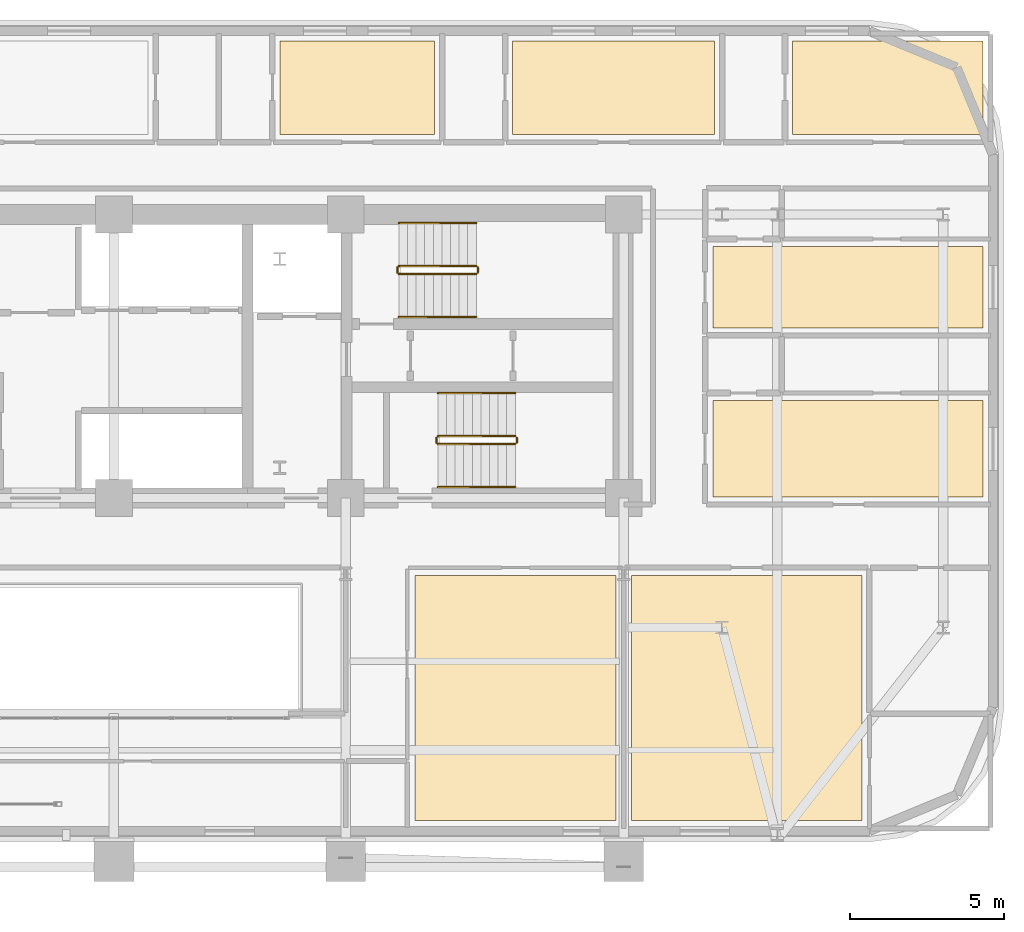
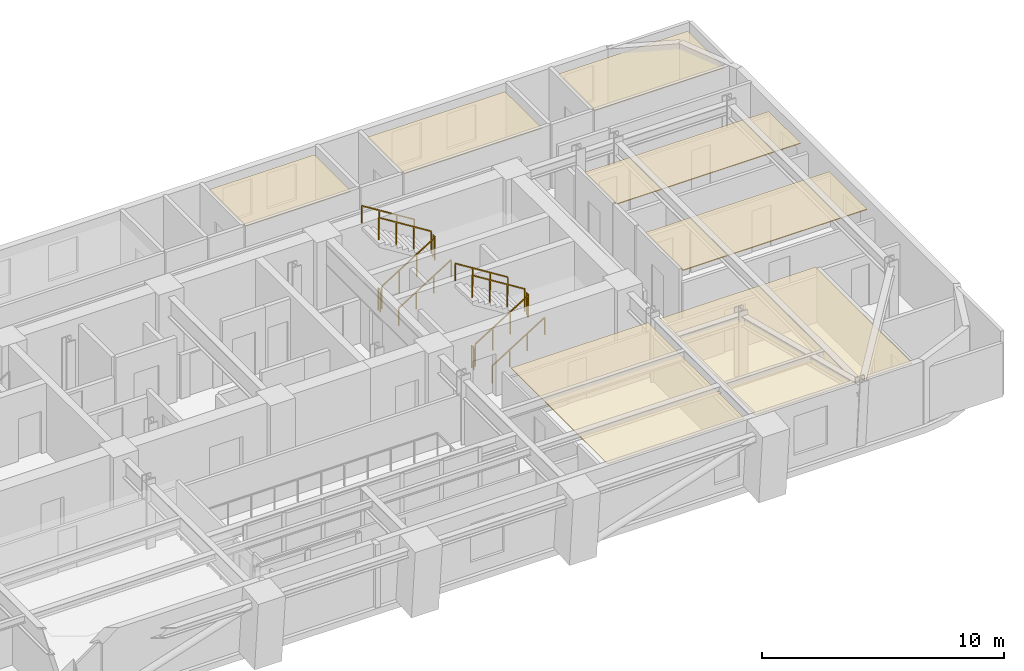
# One storey, part 15 of 15: 12 railings, 7 coverings.
"""IFC4 building model written with IfcOpenShell, lengths in metres."""

from ifc_helpers import new_model, si_unit, direction, frame, origin, origin_2d, place, context, subcontext, project, spatial, polyline, rectangle, outline, extrude, material, layer, layer_set, type_object, element, save


model = new_model("IFC4")

# Units and contexts
model_context = context("Model", 3, precision=1e-05, world=origin(), true_north=direction((0.0, 1.0)))
body_context = subcontext(model_context, "Body", "Model", "MODEL_VIEW")
ifc_project = project(units=[si_unit("LENGTHUNIT", "METRE"), si_unit("AREAUNIT", "SQUARE_METRE"), si_unit("VOLUMEUNIT", "CUBIC_METRE"), si_unit("PLANEANGLEUNIT", "RADIAN"), si_unit("MASSUNIT", "GRAM", prefix="KILO")], contexts=[model_context])

# Site, building, storey
site_placement = place(None, origin())
site = spatial("IfcSite", under=ifc_project, at=site_placement, CompositionType="ELEMENT")
building_placement = place(site_placement, origin())
building = spatial("IfcBuilding", under=site, at=building_placement, Name="Zarnavel Station Tower", CompositionType="ELEMENT")
storey_placement = place(building_placement, frame((0.0, 0.0, 111.800048828125)))
storey = spatial("IfcBuildingStorey", under=building, at=storey_placement, Name="L30", CompositionType="ELEMENT", Elevation=111.800048828125)

# Coverings
ifc_material_1 = material(Name="Perforated Gypsum and Mineral-Wool Acoustic Ceiling", Category="concrete")
ifc_layer = layer(ifc_material_1, 0.0400390625)
ifc_layer_set = layer_set([ifc_layer], Name="COV_CEIL_ACOUSTIC")
covering_type = type_object("IfcCoveringType", Name="COV_CEIL_ACOUSTIC", PredefinedType="CEILING", material=ifc_layer_set)
covering_1_placement = place(storey_placement, frame((0.0, 0.0, 2.919921875)))
element("IfcCovering", 1, at=covering_1_placement, inside=storey, type_object=covering_type, Name="L30 FNE1R Acoustic Ceiling", PredefinedType="CEILING", context=body_context, shape_type="SweptSolid", body=[
    extrude(outline(polyline([(48.300048828125, 27.85009765625), (57.090087890625, 27.85009765625), (57.090087890625, 30.986083984375), (48.300048828125, 30.986083984375), (48.300048828125, 27.85009765625)])), origin(), (0.0, 0.0, 1.0), 0.0400390625),
])
covering_2_placement = place(storey_placement, frame((0.0, 0.0, 2.919921875)))
element("IfcCovering", 2, at=covering_2_placement, inside=storey, type_object=covering_type, Name="L30 FNE2R Acoustic Ceiling", PredefinedType="CEILING", context=body_context, shape_type="SweptSolid", body=[
    extrude(outline(polyline([(48.300048828125, 33.35888671875), (57.090087890625, 33.35888671875), (57.090087890625, 36.0), (48.300048828125, 36.0), (48.300048828125, 33.35888671875)])), origin(), (0.0, 0.0, 1.0), 0.0400390625),
])
covering_3_placement = place(storey_placement, frame((0.0, 0.0, 2.919921875)))
element("IfcCovering", 3, at=covering_3_placement, inside=storey, type_object=covering_type, Name="L30 HN3R Acoustic Ceiling", PredefinedType="CEILING", context=body_context, shape_type="SweptSolid", body=[
    extrude(outline(polyline([(34.20703125, 39.64990234375), (39.235107421875, 39.64990234375), (39.235107421875, 42.68994140625), (34.20703125, 42.68994140625), (34.20703125, 39.64990234375)])), origin(), (0.0, 0.0, 1.0), 0.0400390625),
])
covering_4_placement = place(storey_placement, frame((0.0, 0.0, 2.919921875)))
element("IfcCovering", 4, at=covering_4_placement, inside=storey, type_object=covering_type, Name="L30 HN4R Acoustic Ceiling", PredefinedType="CEILING", context=body_context, shape_type="SweptSolid", body=[
    extrude(outline(polyline([(41.784912109375, 39.64990234375), (48.35009765625, 39.64990234375), (48.35009765625, 42.68994140625), (41.784912109375, 42.68994140625), (41.784912109375, 39.64990234375)])), origin(), (0.0, 0.0, 1.0), 0.0400390625),
])
covering_5_placement = place(storey_placement, frame((0.0, 0.0, 2.919921875)))
element("IfcCovering", 5, at=covering_5_placement, inside=storey, type_object=covering_type, Name="L30 HN5R Acoustic Ceiling", PredefinedType="CEILING", context=body_context, shape_type="SweptSolid", body=[
    extrude(outline(polyline([(50.89990234375, 39.64990234375), (57.090087890625, 39.64990234375), (57.090087890625, 42.68994140625), (50.89990234375, 42.68994140625), (50.89990234375, 39.64990234375)])), origin(), (0.0, 0.0, 1.0), 0.0400390625),
])
covering_6_placement = place(storey_placement, frame((0.0, 0.0, 2.919921875)))
element("IfcCovering", 6, at=covering_6_placement, inside=storey, type_object=covering_type, Name="L30 L29SCR Acoustic Ceiling", PredefinedType="CEILING", context=body_context, shape_type="SweptSolid", body=[
    extrude(outline(polyline([(38.60009765625, 17.31005859375), (45.14990234375, 17.31005859375), (45.14990234375, 25.300048828125), (38.60009765625, 25.300048828125), (38.60009765625, 17.31005859375)])), origin(), (0.0, 0.0, 1.0), 0.0400390625),
])
covering_7_placement = place(storey_placement, frame((0.0, 0.0, 2.919921875)))
element("IfcCovering", 7, at=covering_7_placement, inside=storey, type_object=covering_type, Name="L30 L29FOY Acoustic Ceiling", PredefinedType="CEILING", context=body_context, shape_type="SweptSolid", body=[
    extrude(outline(polyline([(45.64990234375, 17.31005859375), (53.14990234375, 17.31005859375), (53.14990234375, 25.300048828125), (45.64990234375, 25.300048828125), (45.64990234375, 17.31005859375)])), origin(), (0.0, 0.0, 1.0), 0.0400390625),
])

# Railings
ifc_material_2 = material(Name="Painted Steel S355J2 Balustrade", Category="steel")
railing_type_1 = type_object("IfcRailingType", Name="GR_INT_1150", PredefinedType="GUARDRAIL", material=ifc_material_2)
railing_1_placement = place(storey_placement, frame((38.080078125, 35.110107421875, 0.175048828125)))
element("IfcRailing", 8, at=railing_1_placement, inside=storey, type_object=railing_type_1, Name="L30 ST2 stair guard 1", PredefinedType="GUARDRAIL", context=body_context, shape_type="SweptSolid", body=[
    extrude(rectangle(XDim=0.048095703125, YDim=0.048095703125, at=origin_2d()), frame((0.001708984375, 0.0, 1.126953125), z_axis=(0.848007534815, 0.0, 0.529984170421), x_axis=(0.0, 1.0, 0.0)), (0.0, 0.0, 1.0), 2.9677734375),
    extrude(rectangle(XDim=0.0419921875, YDim=0.0419921875, at=origin_2d()), origin(), (0.0, 0.0, 1.0), 1.101806640625),
    extrude(rectangle(XDim=0.0419921875, YDim=0.0419921875, at=origin_2d()), frame((0.840087890625, 0.0, 0.52490234375)), (0.0, 0.0, 1.0), 1.101806640625),
    extrude(rectangle(XDim=0.0419921875, YDim=0.0419921875, at=origin_2d()), frame((1.679931640625, 0.0, 1.050048828125)), (0.0, 0.0, 1.0), 1.101806640625),
    extrude(rectangle(XDim=0.0419921875, YDim=0.0419921875, at=origin_2d()), frame((2.52001953125, 0.0, 1.574951171875)), (0.0, 0.0, 1.0), 1.101806640625),
])
railing_2_placement = place(storey_placement, frame((40.64990234375, 35.159912109375, 1.75)))
element("IfcRailing", 9, at=railing_2_placement, inside=storey, type_object=railing_type_1, Name="L30 ST2 stair guard 2", PredefinedType="GUARDRAIL", context=body_context, shape_type="SweptSolid", body=[
    extrude(rectangle(XDim=0.048095703125, YDim=0.048095703125, at=origin_2d()), frame((0.0, 0.001953125, 1.1259765625), z_axis=(0.0, 1.0, 0.0), x_axis=(-1.0, 0.0, 0.0)), (0.0, 0.0, 1.0), 0.15625),
    extrude(rectangle(XDim=0.0419921875, YDim=0.0419921875, at=origin_2d()), origin(), (0.0, 0.0, 1.0), 1.101806640625),
    extrude(rectangle(XDim=0.0419921875, YDim=0.0419921875, at=origin_2d()), frame((0.0, 0.16015625, 0.0)), (0.0, 0.0, 1.0), 1.101806640625),
])
railing_3_placement = place(storey_placement, frame((40.60009765625, 35.3701171875, 1.925048828125)))
element("IfcRailing", 10, at=railing_3_placement, inside=storey, type_object=railing_type_1, Name="L30 ST2 stair guard 3", PredefinedType="GUARDRAIL", context=body_context, shape_type="SweptSolid", body=[
    extrude(rectangle(XDim=0.048095703125, YDim=0.048095703125, at=origin_2d()), frame((-0.001708984375, 0.0, 1.126953125), z_axis=(-0.848007534815, 0.0, 0.529984170421), x_axis=(0.0, -1.0, 0.0)), (0.0, 0.0, 1.0), 2.9677734375),
    extrude(rectangle(XDim=0.0419921875, YDim=0.0419921875, at=origin_2d()), origin(), (0.0, 0.0, 1.0), 1.101806640625),
    extrude(rectangle(XDim=0.0419921875, YDim=0.0419921875, at=origin_2d()), frame((-0.840087890625, 0.0, 0.52490234375)), (0.0, 0.0, 1.0), 1.101806640625),
    extrude(rectangle(XDim=0.0419921875, YDim=0.0419921875, at=origin_2d()), frame((-1.679931640625, 0.0, 1.050048828125)), (0.0, 0.0, 1.0), 1.101806640625),
    extrude(rectangle(XDim=0.0419921875, YDim=0.0419921875, at=origin_2d()), frame((-2.52001953125, 0.0, 1.574951171875)), (0.0, 0.0, 1.0), 1.101806640625),
])
railing_4_placement = place(storey_placement, frame((38.030029296875, 35.159912109375, 0.0)))
element("IfcRailing", 11, at=railing_4_placement, inside=storey, type_object=railing_type_1, Name="L30 ST2 stair guard 4", PredefinedType="GUARDRAIL", context=body_context, shape_type="SweptSolid", body=[
    extrude(rectangle(XDim=0.048095703125, YDim=0.048095703125, at=origin_2d()), frame((0.0, 0.001953125, 1.1259765625), z_axis=(0.0, 1.0, 0.0), x_axis=(-1.0, 0.0, 0.0)), (0.0, 0.0, 1.0), 0.15625),
    extrude(rectangle(XDim=0.0419921875, YDim=0.0419921875, at=origin_2d()), origin(), (0.0, 0.0, 1.0), 1.101806640625),
    extrude(rectangle(XDim=0.0419921875, YDim=0.0419921875, at=origin_2d()), frame((0.0, 0.16015625, 0.0)), (0.0, 0.0, 1.0), 1.101806640625),
])
railing_5_placement = place(storey_placement, frame((39.35009765625, 29.570068359375, 0.175048828125)))
element("IfcRailing", 12, at=railing_5_placement, inside=storey, type_object=railing_type_1, Name="L30 ST3 stair guard 1", PredefinedType="GUARDRAIL", context=body_context, shape_type="SweptSolid", body=[
    extrude(rectangle(XDim=0.048095703125, YDim=0.048095703125, at=origin_2d()), frame((0.001708984375, 0.0, 1.126953125), z_axis=(0.848007534815, 0.0, 0.529984170421), x_axis=(0.0, 1.0, 0.0)), (0.0, 0.0, 1.0), 2.9677734375),
    extrude(rectangle(XDim=0.0419921875, YDim=0.0419921875, at=origin_2d()), origin(), (0.0, 0.0, 1.0), 1.101806640625),
    extrude(rectangle(XDim=0.0419921875, YDim=0.0419921875, at=origin_2d()), frame((0.840087890625, 0.0, 0.52490234375)), (0.0, 0.0, 1.0), 1.101806640625),
    extrude(rectangle(XDim=0.0419921875, YDim=0.0419921875, at=origin_2d()), frame((1.679931640625, 0.0, 1.050048828125)), (0.0, 0.0, 1.0), 1.101806640625),
    extrude(rectangle(XDim=0.0419921875, YDim=0.0419921875, at=origin_2d()), frame((2.52001953125, 0.0, 1.574951171875)), (0.0, 0.0, 1.0), 1.101806640625),
])
railing_6_placement = place(storey_placement, frame((41.919921875, 29.6201171875, 1.75)))
element("IfcRailing", 13, at=railing_6_placement, inside=storey, type_object=railing_type_1, Name="L30 ST3 stair guard 2", PredefinedType="GUARDRAIL", context=body_context, shape_type="SweptSolid", body=[
    extrude(rectangle(XDim=0.048095703125, YDim=0.048095703125, at=origin_2d()), frame((0.0, 0.001953125, 1.1259765625), z_axis=(0.0, 1.0, 0.0), x_axis=(-1.0, 0.0, 0.0)), (0.0, 0.0, 1.0), 0.156005859375),
    extrude(rectangle(XDim=0.0419921875, YDim=0.0419921875, at=origin_2d()), origin(), (0.0, 0.0, 1.0), 1.101806640625),
    extrude(rectangle(XDim=0.0419921875, YDim=0.0419921875, at=origin_2d()), frame((0.0, 0.159912109375, 0.0)), (0.0, 0.0, 1.0), 1.101806640625),
])
railing_7_placement = place(storey_placement, frame((41.8701171875, 29.830078125, 1.925048828125)))
element("IfcRailing", 14, at=railing_7_placement, inside=storey, type_object=railing_type_1, Name="L30 ST3 stair guard 3", PredefinedType="GUARDRAIL", context=body_context, shape_type="SweptSolid", body=[
    extrude(rectangle(XDim=0.048095703125, YDim=0.048095703125, at=origin_2d()), frame((-0.001708984375, 0.0, 1.126953125), z_axis=(-0.848007534815, 0.0, 0.529984170421), x_axis=(0.0, -1.0, 0.0)), (0.0, 0.0, 1.0), 2.9677734375),
    extrude(rectangle(XDim=0.0419921875, YDim=0.0419921875, at=origin_2d()), origin(), (0.0, 0.0, 1.0), 1.101806640625),
    extrude(rectangle(XDim=0.0419921875, YDim=0.0419921875, at=origin_2d()), frame((-0.840087890625, 0.0, 0.52490234375)), (0.0, 0.0, 1.0), 1.101806640625),
    extrude(rectangle(XDim=0.0419921875, YDim=0.0419921875, at=origin_2d()), frame((-1.679931640625, 0.0, 1.050048828125)), (0.0, 0.0, 1.0), 1.101806640625),
    extrude(rectangle(XDim=0.0419921875, YDim=0.0419921875, at=origin_2d()), frame((-2.52001953125, 0.0, 1.574951171875)), (0.0, 0.0, 1.0), 1.101806640625),
])
railing_8_placement = place(storey_placement, frame((39.300048828125, 29.6201171875, 0.0)))
element("IfcRailing", 15, at=railing_8_placement, inside=storey, type_object=railing_type_1, Name="L30 ST3 stair guard 4", PredefinedType="GUARDRAIL", context=body_context, shape_type="SweptSolid", body=[
    extrude(rectangle(XDim=0.048095703125, YDim=0.048095703125, at=origin_2d()), frame((0.0, 0.001953125, 1.1259765625), z_axis=(0.0, 1.0, 0.0), x_axis=(-1.0, 0.0, 0.0)), (0.0, 0.0, 1.0), 0.156005859375),
    extrude(rectangle(XDim=0.0419921875, YDim=0.0419921875, at=origin_2d()), origin(), (0.0, 0.0, 1.0), 1.101806640625),
    extrude(rectangle(XDim=0.0419921875, YDim=0.0419921875, at=origin_2d()), frame((0.0, 0.159912109375, 0.0)), (0.0, 0.0, 1.0), 1.101806640625),
])
ifc_material_3 = material(Name="Brushed Stainless Steel S355J2 Handrail", Category="steel")
railing_type_2 = type_object("IfcRailingType", Name="HR_STAIR_900", PredefinedType="HANDRAIL", material=ifc_material_3)
railing_9_placement = place(storey_placement, frame((38.080078125, 33.7099609375, 0.175048828125)))
element("IfcRailing", 16, at=railing_9_placement, inside=storey, type_object=railing_type_2, Name="L30 ST2 stair handrail 1", PredefinedType="HANDRAIL", context=body_context, shape_type="SweptSolid", body=[
    extrude(rectangle(XDim=0.048095703125, YDim=0.048095703125, at=origin_2d()), frame((0.001708984375, 0.0, 0.876953125), z_axis=(0.848007534815, 0.0, 0.529984170421), x_axis=(0.0, 1.0, 0.0)), (0.0, 0.0, 1.0), 2.9677734375),
    extrude(rectangle(XDim=0.0419921875, YDim=0.0419921875, at=origin_2d()), origin(), (0.0, 0.0, 1.0), 0.851806640625),
    extrude(rectangle(XDim=0.0419921875, YDim=0.0419921875, at=origin_2d()), frame((0.840087890625, 0.0, 0.52490234375)), (0.0, 0.0, 1.0), 0.851806640625),
    extrude(rectangle(XDim=0.0419921875, YDim=0.0419921875, at=origin_2d()), frame((1.679931640625, 0.0, 1.050048828125)), (0.0, 0.0, 1.0), 0.851806640625),
    extrude(rectangle(XDim=0.0419921875, YDim=0.0419921875, at=origin_2d()), frame((2.52001953125, 0.0, 1.574951171875)), (0.0, 0.0, 1.0), 0.851806640625),
])
railing_10_placement = place(storey_placement, frame((40.60009765625, 36.77001953125, 1.925048828125)))
element("IfcRailing", 17, at=railing_10_placement, inside=storey, type_object=railing_type_2, Name="L30 ST2 stair handrail 2", PredefinedType="HANDRAIL", context=body_context, shape_type="SweptSolid", body=[
    extrude(rectangle(XDim=0.048095703125, YDim=0.048095703125, at=origin_2d()), frame((-0.001708984375, 0.0, 0.876953125), z_axis=(-0.848007534815, 0.0, 0.529984170421), x_axis=(0.0, -1.0, 0.0)), (0.0, 0.0, 1.0), 2.9677734375),
    extrude(rectangle(XDim=0.0419921875, YDim=0.0419921875, at=origin_2d()), origin(), (0.0, 0.0, 1.0), 0.851806640625),
    extrude(rectangle(XDim=0.0419921875, YDim=0.0419921875, at=origin_2d()), frame((-0.840087890625, 0.0, 0.52490234375)), (0.0, 0.0, 1.0), 0.851806640625),
    extrude(rectangle(XDim=0.0419921875, YDim=0.0419921875, at=origin_2d()), frame((-1.679931640625, 0.0, 1.050048828125)), (0.0, 0.0, 1.0), 0.851806640625),
    extrude(rectangle(XDim=0.0419921875, YDim=0.0419921875, at=origin_2d()), frame((-2.52001953125, 0.0, 1.574951171875)), (0.0, 0.0, 1.0), 0.851806640625),
])
railing_11_placement = place(storey_placement, frame((39.35009765625, 28.169921875, 0.175048828125)))
element("IfcRailing", 18, at=railing_11_placement, inside=storey, type_object=railing_type_2, Name="L30 ST3 stair handrail 1", PredefinedType="HANDRAIL", context=body_context, shape_type="SweptSolid", body=[
    extrude(rectangle(XDim=0.048095703125, YDim=0.048095703125, at=origin_2d()), frame((0.001708984375, 0.0, 0.876953125), z_axis=(0.848007534815, 0.0, 0.529984170421), x_axis=(0.0, 1.0, 0.0)), (0.0, 0.0, 1.0), 2.9677734375),
    extrude(rectangle(XDim=0.0419921875, YDim=0.0419921875, at=origin_2d()), origin(), (0.0, 0.0, 1.0), 0.851806640625),
    extrude(rectangle(XDim=0.0419921875, YDim=0.0419921875, at=origin_2d()), frame((0.840087890625, 0.0, 0.52490234375)), (0.0, 0.0, 1.0), 0.851806640625),
    extrude(rectangle(XDim=0.0419921875, YDim=0.0419921875, at=origin_2d()), frame((1.679931640625, 0.0, 1.050048828125)), (0.0, 0.0, 1.0), 0.851806640625),
    extrude(rectangle(XDim=0.0419921875, YDim=0.0419921875, at=origin_2d()), frame((2.52001953125, 0.0, 1.574951171875)), (0.0, 0.0, 1.0), 0.851806640625),
])
railing_12_placement = place(storey_placement, frame((41.8701171875, 31.22998046875, 1.925048828125)))
element("IfcRailing", 19, at=railing_12_placement, inside=storey, type_object=railing_type_2, Name="L30 ST3 stair handrail 2", PredefinedType="HANDRAIL", context=body_context, shape_type="SweptSolid", body=[
    extrude(rectangle(XDim=0.048095703125, YDim=0.048095703125, at=origin_2d()), frame((-0.001708984375, 0.0, 0.876953125), z_axis=(-0.848007534815, 0.0, 0.529984170421), x_axis=(0.0, -1.0, 0.0)), (0.0, 0.0, 1.0), 2.9677734375),
    extrude(rectangle(XDim=0.0419921875, YDim=0.0419921875, at=origin_2d()), origin(), (0.0, 0.0, 1.0), 0.851806640625),
    extrude(rectangle(XDim=0.0419921875, YDim=0.0419921875, at=origin_2d()), frame((-0.840087890625, 0.0, 0.52490234375)), (0.0, 0.0, 1.0), 0.851806640625),
    extrude(rectangle(XDim=0.0419921875, YDim=0.0419921875, at=origin_2d()), frame((-1.679931640625, 0.0, 1.050048828125)), (0.0, 0.0, 1.0), 0.851806640625),
    extrude(rectangle(XDim=0.0419921875, YDim=0.0419921875, at=origin_2d()), frame((-2.52001953125, 0.0, 1.574951171875)), (0.0, 0.0, 1.0), 0.851806640625),
])

save(model, "model.ifc")
